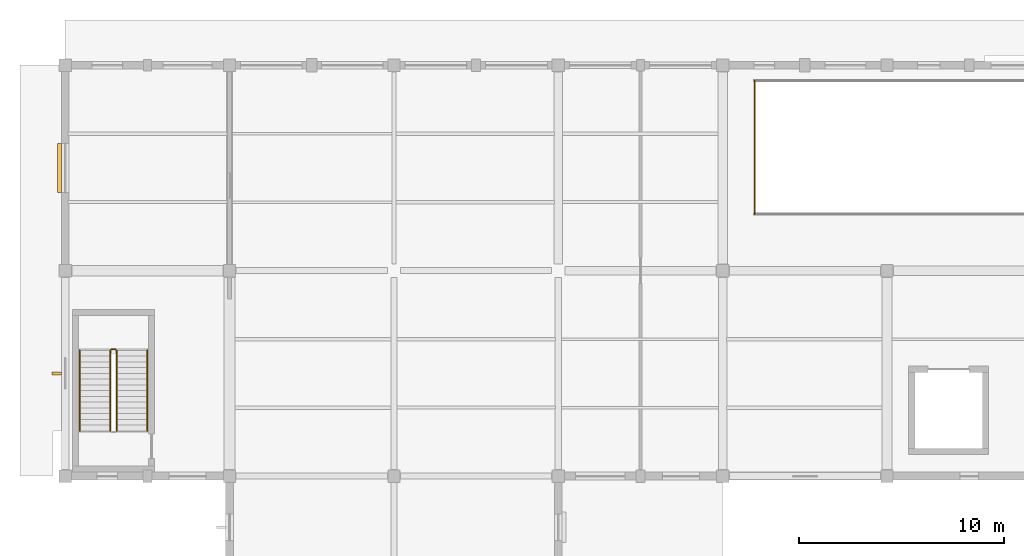
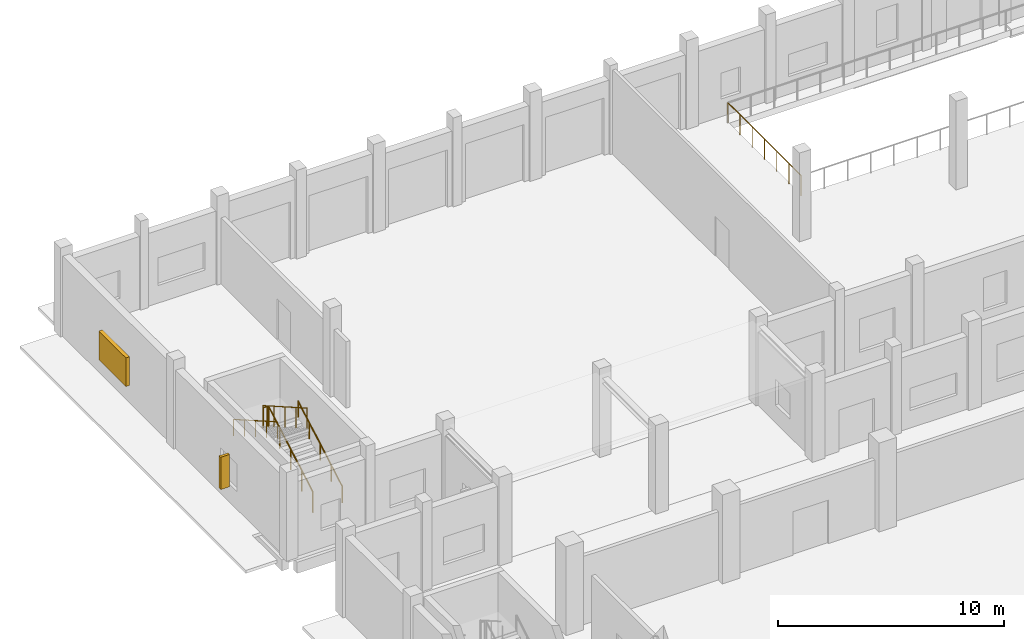
# One storey, part 146 of 156: 6 railings, 2 shading devices.
"""IFC4 building model written with IfcOpenShell, lengths in metres."""

from ifc_helpers import new_model, si_unit, direction, frame, origin, origin_2d, place, context, subcontext, project, spatial, rectangle, circle, extrude, material, type_object, element, save


model = new_model("IFC4")

# Units and contexts
model_context = context("Model", 3, precision=1e-05, world=origin(), true_north=direction((0.0, 1.0)))
body_context = subcontext(model_context, "Body", "Model", "MODEL_VIEW")
ifc_project = project(units=[si_unit("LENGTHUNIT", "METRE"), si_unit("AREAUNIT", "SQUARE_METRE"), si_unit("VOLUMEUNIT", "CUBIC_METRE"), si_unit("PLANEANGLEUNIT", "RADIAN"), si_unit("MASSUNIT", "GRAM", prefix="KILO")], contexts=[model_context])

# Site, building, storey
site_placement = place(None, origin())
site = spatial("IfcSite", under=ifc_project, at=site_placement, CompositionType="ELEMENT")
building_placement = place(site_placement, origin())
building = spatial("IfcBuilding", under=site, at=building_placement, Name="Luwemba Playhouse", CompositionType="ELEMENT")
storey_placement = place(building_placement, origin())
storey = spatial("IfcBuildingStorey", under=building, at=storey_placement, Name="L00", CompositionType="ELEMENT", Elevation=0.0)

# Railings
ifc_material_1 = material(Name="Painted wrought-iron balustrade", Category="steel")
railing_type_1 = type_object("IfcRailingType", Name="RLG-BAL-EXT", PredefinedType="BALUSTRADE", material=ifc_material_1)
railing_1_placement = place(storey_placement, frame((37.550048828125, 107.75, 0.0)))
element("IfcRailing", 1, at=railing_1_placement, inside=storey, type_object=railing_type_1, Name="Car park ramp west head guard", PredefinedType="BALUSTRADE", context=body_context, shape_type="SweptSolid", body=[
    extrude(circle(Radius=0.02392578125, at=origin_2d()), frame((0.0, 0.0, 1.09619140625), z_axis=(0.0, 1.0, 0.0), x_axis=(-1.0, 0.0, 0.0)), (0.0, 0.0, 1.0), 6.5),
    extrude(circle(Radius=0.02099609375, at=origin_2d()), origin(), (0.0, 0.0, 1.0), 1.072021484375),
    extrude(circle(Radius=0.02099609375, at=origin_2d()), frame((0.0, 1.083251953125, 0.0)), (0.0, 0.0, 1.0), 1.072021484375),
    extrude(circle(Radius=0.02099609375, at=origin_2d()), frame((0.0, 2.166748046875, 0.0)), (0.0, 0.0, 1.0), 1.072021484375),
    extrude(circle(Radius=0.02099609375, at=origin_2d()), frame((0.0, 3.25, 0.0)), (0.0, 0.0, 1.0), 1.072021484375),
    extrude(circle(Radius=0.02099609375, at=origin_2d()), frame((0.0, 4.333251953125, 0.0)), (0.0, 0.0, 1.0), 1.072021484375),
    extrude(circle(Radius=0.02099609375, at=origin_2d()), frame((0.0, 5.416748046875, 0.0)), (0.0, 0.0, 1.0), 1.072021484375),
    extrude(circle(Radius=0.02099609375, at=origin_2d()), frame((0.0, 6.5, 0.0)), (0.0, 0.0, 1.0), 1.072021484375),
])
ifc_material_2 = material(Name="Painted wrought-iron gallery balustrade", Category="steel")
railing_type_2 = type_object("IfcRailingType", Name="RLG-BAL-INT", PredefinedType="BALUSTRADE", material=ifc_material_2)
railing_2_placement = place(storey_placement, frame((6.5, 97.199951171875, 0.159912109375)))
element("IfcRailing", 2, at=railing_2_placement, inside=storey, type_object=railing_type_2, Name="L00 ST-08 stair guard 1", PredefinedType="BALUSTRADE", context=body_context, shape_type="SweptSolid", body=[
    extrude(circle(Radius=0.02392578125, at=origin_2d()), frame((0.0, 0.0, 1.09619140625), z_axis=(0.0, 0.86825312469, 0.496121468458), x_axis=(-1.0, 0.0, 0.0)), (0.0, 0.0, 1.0), 4.514892578125),
    extrude(circle(Radius=0.02099609375, at=origin_2d()), origin(), (0.0, 0.0, 1.0), 1.072021484375),
    extrude(circle(Radius=0.02099609375, at=origin_2d()), frame((0.0, 0.97998046875, 0.56005859375)), (0.0, 0.0, 1.0), 1.072021484375),
    extrude(circle(Radius=0.02099609375, at=origin_2d()), frame((0.0, 1.9599609375, 1.1201171875)), (0.0, 0.0, 1.0), 1.072021484375),
    extrude(circle(Radius=0.02099609375, at=origin_2d()), frame((0.0, 2.940185546875, 1.679931640625)), (0.0, 0.0, 1.0), 1.072021484375),
    extrude(circle(Radius=0.02099609375, at=origin_2d()), frame((0.0, 3.920166015625, 2.239990234375)), (0.0, 0.0, 1.0), 1.072021484375),
])
railing_3_placement = place(storey_placement, frame((6.449951171875, 101.169921875, 2.39990234375)))
element("IfcRailing", 3, at=railing_3_placement, inside=storey, type_object=railing_type_2, Name="L00 ST-08 stair guard 2", PredefinedType="BALUSTRADE", context=body_context, shape_type="SweptSolid", body=[
    extrude(circle(Radius=0.02392578125, at=origin_2d()), frame((0.0, 0.0, 1.09619140625), z_axis=(-1.0, 0.0, 0.0), x_axis=(0.0, -1.0, 0.0)), (0.0, 0.0, 1.0), 0.199951171875),
    extrude(circle(Radius=0.02099609375, at=origin_2d()), origin(), (0.0, 0.0, 1.0), 1.072021484375),
    extrude(circle(Radius=0.02099609375, at=origin_2d()), frame((-0.199951171875, 0.0, 0.0)), (0.0, 0.0, 1.0), 1.072021484375),
])
railing_4_placement = place(storey_placement, frame((6.199951171875, 101.1201171875, 2.56005859375)))
element("IfcRailing", 4, at=railing_4_placement, inside=storey, type_object=railing_type_2, Name="L00 ST-08 stair guard 3", PredefinedType="BALUSTRADE", context=body_context, shape_type="SweptSolid", body=[
    extrude(circle(Radius=0.02392578125, at=origin_2d()), frame((0.0, 0.0, 1.09619140625), z_axis=(0.0, -0.86825312469, 0.496121468458), x_axis=(1.0, 0.0, 0.0)), (0.0, 0.0, 1.0), 4.514892578125),
    extrude(circle(Radius=0.02099609375, at=origin_2d()), origin(), (0.0, 0.0, 1.0), 1.072021484375),
    extrude(circle(Radius=0.02099609375, at=origin_2d()), frame((0.0, -0.97998046875, 0.56005859375)), (0.0, 0.0, 1.0), 1.072021484375),
    extrude(circle(Radius=0.02099609375, at=origin_2d()), frame((0.0, -1.9599609375, 1.1201171875)), (0.0, 0.0, 1.0), 1.072021484375),
    extrude(circle(Radius=0.02099609375, at=origin_2d()), frame((0.0, -2.940185546875, 1.679931640625)), (0.0, 0.0, 1.0), 1.072021484375),
    extrude(circle(Radius=0.02099609375, at=origin_2d()), frame((0.0, -3.920166015625, 2.239990234375)), (0.0, 0.0, 1.0), 1.072021484375),
])
ifc_material_3 = material(Name="Hardwood and bronze handrail", Category="wood")
railing_type_3 = type_object("IfcRailingType", Name="RLG-HR-INT", PredefinedType="HANDRAIL", material=ifc_material_3)
railing_5_placement = place(storey_placement, frame((8.0, 97.199951171875, 0.159912109375)))
element("IfcRailing", 5, at=railing_5_placement, inside=storey, type_object=railing_type_3, Name="L00 ST-08 stair handrail 1", PredefinedType="HANDRAIL", context=body_context, shape_type="SweptSolid", body=[
    extrude(circle(Radius=0.02392578125, at=origin_2d()), frame((0.0, 0.0, 0.8759765625), z_axis=(0.0, 0.86825312469, 0.496121468458), x_axis=(-1.0, 0.0, 0.0)), (0.0, 0.0, 1.0), 4.514892578125),
    extrude(circle(Radius=0.02099609375, at=origin_2d()), origin(), (0.0, 0.0, 1.0), 0.851806640625),
    extrude(circle(Radius=0.02099609375, at=origin_2d()), frame((0.0, 0.97998046875, 0.56005859375)), (0.0, 0.0, 1.0), 0.851806640625),
    extrude(circle(Radius=0.02099609375, at=origin_2d()), frame((0.0, 1.9599609375, 1.1201171875)), (0.0, 0.0, 1.0), 0.851806640625),
    extrude(circle(Radius=0.02099609375, at=origin_2d()), frame((0.0, 2.940185546875, 1.679931640625)), (0.0, 0.0, 1.0), 0.851806640625),
    extrude(circle(Radius=0.02099609375, at=origin_2d()), frame((0.0, 3.920166015625, 2.239990234375)), (0.0, 0.0, 1.0), 0.851806640625),
])
railing_6_placement = place(storey_placement, frame((4.699951171875, 101.1201171875, 2.56005859375)))
element("IfcRailing", 6, at=railing_6_placement, inside=storey, type_object=railing_type_3, Name="L00 ST-08 stair handrail 2", PredefinedType="HANDRAIL", context=body_context, shape_type="SweptSolid", body=[
    extrude(circle(Radius=0.02392578125, at=origin_2d()), frame((0.0, 0.0, 0.8759765625), z_axis=(0.0, -0.86825312469, 0.496121468458), x_axis=(1.0, 0.0, 0.0)), (0.0, 0.0, 1.0), 4.514892578125),
    extrude(circle(Radius=0.02099609375, at=origin_2d()), origin(), (0.0, 0.0, 1.0), 0.851806640625),
    extrude(circle(Radius=0.02099609375, at=origin_2d()), frame((0.0, -0.97998046875, 0.56005859375)), (0.0, 0.0, 1.0), 0.851806640625),
    extrude(circle(Radius=0.02099609375, at=origin_2d()), frame((0.0, -1.9599609375, 1.1201171875)), (0.0, 0.0, 1.0), 0.851806640625),
    extrude(circle(Radius=0.02099609375, at=origin_2d()), frame((0.0, -2.940185546875, 1.679931640625)), (0.0, 0.0, 1.0), 0.851806640625),
    extrude(circle(Radius=0.02099609375, at=origin_2d()), frame((0.0, -3.920166015625, 2.239990234375)), (0.0, 0.0, 1.0), 0.851806640625),
])

# Shading devices
ifc_material_4 = material(Name="Extruded terracotta brise-soleil fin on steel bracket", Category="masonry")
shading_device_type_1 = type_object("IfcShadingDeviceType", Name="SHD-BRISE", PredefinedType="USERDEFINED", material=ifc_material_4)
shading_device_1_placement = place(storey_placement, frame((3.590087890625, 100.0, 0.824951171875), z_axis=(0.0, 0.0, 1.0), x_axis=(0.0, 1.0, 0.0)))
element("IfcShadingDevice", 7, at=shading_device_1_placement, inside=storey, type_object=shading_device_type_1, Name="L00 terracotta brise-soleil fin 011", ObjectType="TERRACOTTA BRISE SOLEIL", PredefinedType="USERDEFINED", context=body_context, shape_type="SweptSolid", body=[
    extrude(rectangle(XDim=0.139892578125, YDim=0.449951171875, at=origin_2d()), origin(), (0.0, 0.0, 1.0), 1.75),
])
ifc_material_5 = material(Name="Kiln-fired terracotta gelosia louvre screen", Category="masonry")
shading_device_type_2 = type_object("IfcShadingDeviceType", Name="SHD-GELOSIA", PredefinedType="JALOUSIE", material=ifc_material_5)
shading_device_2_placement = place(storey_placement, frame((3.72509765625, 110.0, 0.9248046875), z_axis=(0.0, 0.0, 1.0), x_axis=(0.0, 1.0, 0.0)))
element("IfcShadingDevice", 8, at=shading_device_2_placement, inside=storey, type_object=shading_device_type_2, Name="L00 fired-clay gelosia screen 012", PredefinedType="JALOUSIE", context=body_context, shape_type="SweptSolid", body=[
    extrude(rectangle(XDim=2.39990234375, YDim=0.179931640625, at=origin_2d()), origin(), (0.0, 0.0, 1.0), 1.550048828125),
])

save(model, "model.ifc")
